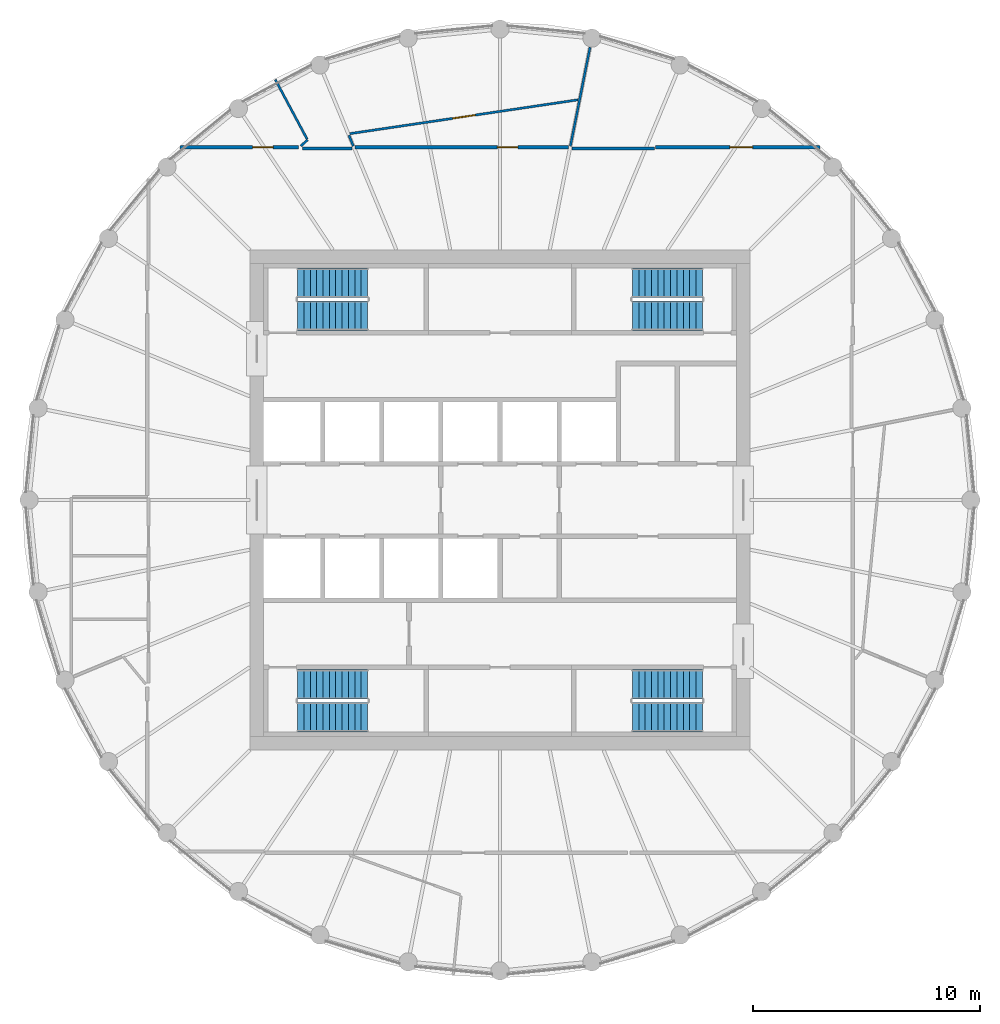
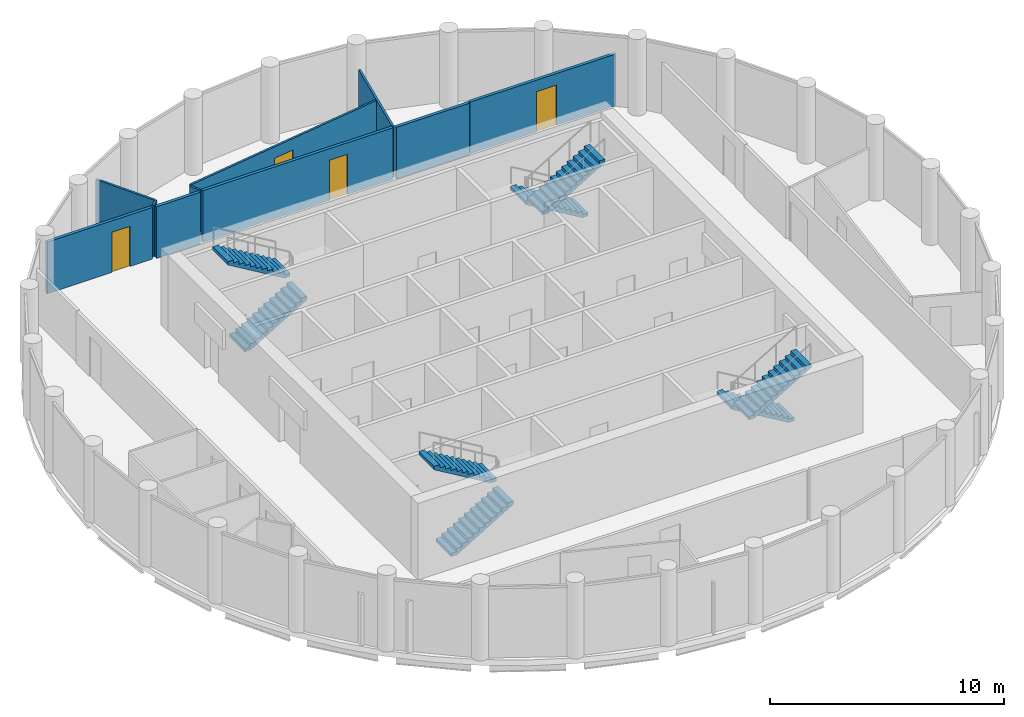
# One storey, part 6 of 7: 10 walls, 8 stair flights, 4 doors, 4 openings, 4 elements without a shape of their own.
"""IFC4 building model written with IfcOpenShell, lengths in metres."""

from ifc_helpers import new_model, si_unit, direction, frame, frame_2d, origin, place, context, subcontext, project, spatial, polyline, rectangle, outline, extrude, material, layer, layer_set, type_object, element, fill, aggregate, save


model = new_model("IFC4")

# Units and contexts
model_context = context("Model", 3, precision=1e-05, world=origin(), true_north=direction((0.0, 1.0)))
body_context = subcontext(model_context, "Body", "Model", "MODEL_VIEW")
ifc_project = project(units=[si_unit("LENGTHUNIT", "METRE"), si_unit("AREAUNIT", "SQUARE_METRE"), si_unit("VOLUMEUNIT", "CUBIC_METRE"), si_unit("PLANEANGLEUNIT", "RADIAN"), si_unit("MASSUNIT", "GRAM", prefix="KILO")], contexts=[model_context])

# Site, building, storey
site_placement = place(None, origin())
site = spatial("IfcSite", under=ifc_project, at=site_placement, CompositionType="ELEMENT")
building_placement = place(site_placement, origin())
building = spatial("IfcBuilding", under=site, at=building_placement, Name="Corvane Civic Tower", CompositionType="ELEMENT")
storey_placement = place(building_placement, frame((0.0, 0.0, 344.5)))
storey = spatial("IfcBuildingStorey", under=building, at=storey_placement, Name="L82", CompositionType="ELEMENT", Elevation=344.5)

# Walls
ifc_material_1 = material(Name="Plasterboard")
ifc_layer_1 = layer(ifc_material_1, 0.10009765625)
ifc_layer_set_1 = layer_set([ifc_layer_1], Name="Plasterboard")
wall_type_1 = type_object("IfcWallType", Name="Partition 100 plasterboard on studs", PredefinedType="PARTITIONING", material=ifc_layer_set_1)
wall_1_placement = place(storey_placement, frame((3.093017578125, 15.5498046875, 0.0), z_axis=(0.0, 0.0, 1.0), x_axis=(0.195121058618, 0.980779166012, 0.0)))
element("IfcWall", 1, at=wall_1_placement, inside=storey, type_object=wall_type_1, Name="Partition L82.029", PredefinedType="PARTITIONING", context=body_context, shape_type="SweptSolid", body=[
    extrude(rectangle(XDim=4.435546875, YDim=0.10009765625, at=frame_2d((2.2177734375, 0.0))), origin(), (0.0, 0.0, 1.0), 2.699951171875),
])
wall_2_placement = place(storey_placement, frame((-6.6416015625, 16.034423828125, 0.0), z_axis=(0.0, 0.0, 1.0), x_axis=(0.38249150512, -0.923959008025, 0.0)))
element("IfcWall", 2, at=wall_2_placement, inside=storey, type_object=wall_type_1, Name="Partition L82.030", PredefinedType="PARTITIONING", context=body_context, shape_type="SweptSolid", body=[
    extrude(rectangle(XDim=0.514404296875, YDim=0.10009765625, at=frame_2d((0.25732421875, 0.0))), origin(), (0.0, 0.0, 1.0), 2.699951171875),
])
wall_3_placement = place(storey_placement, frame((-9.8759765625, 18.476318359375, 0.0), z_axis=(0.0, 0.0, 1.0), x_axis=(0.471455678269, -0.881889756958, 0.0)))
element("IfcWall", 3, at=wall_3_placement, inside=storey, type_object=wall_type_1, Name="Partition L82.031", PredefinedType="PARTITIONING", context=body_context, shape_type="SweptSolid", body=[
    extrude(rectangle(XDim=2.964599609375, YDim=0.10009765625, at=frame_2d((1.482421875, 0.0))), origin(), (0.0, 0.0, 1.0), 2.699951171875),
])

# Wall, opening, door
wall_4_placement = place(storey_placement, frame((-6.602783203125, 16.10302734375, 0.0), z_axis=(0.0, 0.0, 1.0), x_axis=(0.989177601329, 0.146723116884, 0.0)))
wall_4 = element("IfcWall", 4, at=wall_4_placement, inside=storey, type_object=wall_type_1, Name="Partition L82.032", PredefinedType="PARTITIONING", context=body_context, shape_type="SweptSolid", body=[
    extrude(rectangle(XDim=10.1435546875, YDim=0.10009765625, at=frame_2d((5.07177734375, 0.0))), origin(), (0.0, 0.0, 1.0), 2.699951171875),
])
opening_1_placement = place(wall_4_placement, frame((4.5751953125, 0.0, 0.0)))
opening_1 = element("IfcOpeningElement", 5, at=opening_1_placement, cuts=wall_4, Name="Opening L82.012", PredefinedType="OPENING", context=body_context, shape_type="SweptSolid", body=[
    extrude(rectangle(XDim=1.0, YDim=2.10009765625, at=frame_2d((0.5, 1.050048828125))), frame((0.0, 0.06005859375, 0.0), z_axis=(0.0, -1.0, 0.0), x_axis=(1.0, 0.0, 0.0)), (0.0, 0.0, 1.0), 0.1201171875),
])
ifc_material_2 = material(Name="Timber", Category="wood")
door_type_1 = type_object("IfcDoorType", Name="Single door 1000", OperationType="NOTDEFINED", PredefinedType="DOOR", material=ifc_material_2)
door_1_placement = place(opening_1_placement, origin())
door_1 = element("IfcDoor", 6, at=door_1_placement, inside=storey, type_object=door_type_1, Name="Door L82.012", OperationType="SINGLE_SWING_RIGHT", OverallHeight=2.10009765625, OverallWidth=1.0, PredefinedType="DOOR", context=body_context, shape_type="SweptSolid", body=[
    extrude(rectangle(XDim=1.0, YDim=2.10009765625, at=frame_2d((0.5, 1.050048828125))), frame((0.0, 0.02490234375, 0.0), z_axis=(0.0, -1.0, 0.0), x_axis=(1.0, 0.0, 0.0)), (0.0, 0.0, 1.0), 0.050048828125),
])
fill(opening_1, door_1)

# Walls
wall_5_placement = place(storey_placement, frame((-8.755126953125, 15.56005859375, 0.0), z_axis=(0.0, 0.0, 1.0), x_axis=(0.741187107418, 0.671298496793, 0.0)))
element("IfcWall", 7, at=wall_5_placement, inside=storey, type_object=wall_type_1, Name="Partition L82.033", PredefinedType="PARTITIONING", context=body_context, shape_type="SweptSolid", body=[
    extrude(rectangle(XDim=0.398193359375, YDim=0.10009765625, at=frame_2d((0.19921875, 0.0))), origin(), (0.0, 0.0, 1.0), 2.699951171875),
])
ifc_material_3 = material(Name="Plasterboard")
ifc_layer_2 = layer(ifc_material_3, 0.14990234375)
ifc_layer_set_2 = layer_set([ifc_layer_2], Name="Plasterboard")
wall_type_2 = type_object("IfcWallType", Name="Tenancy wall 150 EI 60", PredefinedType="PARTITIONING", material=ifc_layer_set_2)
wall_6_placement = place(storey_placement, frame((-8.681884765625, 15.449951171875, 0.0), z_axis=(0.0, 0.0, 1.0), x_axis=(1.0, 0.0, 0.0)))
element("IfcWall", 8, at=wall_6_placement, inside=storey, type_object=wall_type_2, Name="Partition L82.024", PredefinedType="PARTITIONING", context=body_context, shape_type="SweptSolid", body=[
    extrude(rectangle(XDim=2.170166015625, YDim=0.14990234375, at=frame_2d((1.0849609375, 0.0))), origin(), (0.0, 0.0, 1.0), 2.699951171875),
])
wall_7_placement = place(storey_placement, frame((3.16455078125, 15.449951171875, 0.0), z_axis=(0.0, 0.0, 1.0), x_axis=(1.0, 0.0, 0.0)))
element("IfcWall", 9, at=wall_7_placement, inside=storey, type_object=wall_type_2, Name="Partition L82.025", PredefinedType="PARTITIONING", context=body_context, shape_type="SweptSolid", body=[
    extrude(rectangle(XDim=3.616455078125, YDim=0.14990234375, at=frame_2d((1.80810546875, 0.0))), origin(), (0.0, 0.0, 1.0), 2.699951171875),
])

# Wall, opening, door
wall_8_placement = place(storey_placement, frame((-14.05712890625, 15.5, 0.0), z_axis=(0.0, 0.0, 1.0), x_axis=(1.0, 0.0, 0.0)))
wall_8 = element("IfcWall", 10, at=wall_8_placement, inside=storey, type_object=wall_type_2, Name="Partition L82.026", PredefinedType="PARTITIONING", context=body_context, shape_type="SweptSolid", body=[
    extrude(rectangle(XDim=5.20703125, YDim=0.14990234375, at=frame_2d((2.603515625, 0.0))), origin(), (0.0, 0.0, 1.0), 2.699951171875),
])
opening_2_placement = place(wall_8_placement, frame((3.1875, 0.0, 0.0)))
opening_2 = element("IfcOpeningElement", 11, at=opening_2_placement, cuts=wall_8, Name="Opening L82.011", PredefinedType="OPENING", context=body_context, shape_type="SweptSolid", body=[
    extrude(rectangle(XDim=0.89990234375, YDim=2.10009765625, at=frame_2d((0.449951171875, 1.050048828125))), frame((0.0, 0.0849609375, 0.0), z_axis=(0.0, -1.0, 0.0), x_axis=(1.0, 0.0, 0.0)), (0.0, 0.0, 1.0), 0.169921875),
])
ifc_material_4 = material(Name="Steel and timber", Category="steel")
door_type_2 = type_object("IfcDoorType", Name="Fire door FD30S 900", OperationType="NOTDEFINED", PredefinedType="DOOR", material=ifc_material_4)
door_2_placement = place(opening_2_placement, origin())
door_2 = element("IfcDoor", 12, at=door_2_placement, inside=storey, type_object=door_type_2, Name="Door L82.011", OperationType="SINGLE_SWING_LEFT", OverallHeight=2.10009765625, OverallWidth=0.89990234375, PredefinedType="DOOR", context=body_context, shape_type="SweptSolid", body=[
    extrude(rectangle(XDim=0.89990234375, YDim=2.10009765625, at=frame_2d((0.449951171875, 1.050048828125))), frame((0.0, 0.02490234375, 0.0), z_axis=(0.0, -1.0, 0.0), x_axis=(1.0, 0.0, 0.0)), (0.0, 0.0, 1.0), 0.050048828125),
])
fill(opening_2, door_2)

wall_9_placement = place(storey_placement, frame((-6.3701171875, 15.5, 0.0), z_axis=(0.0, 0.0, 1.0), x_axis=(1.0, 0.0, 0.0)))
wall_9 = element("IfcWall", 13, at=wall_9_placement, inside=storey, type_object=wall_type_2, Name="Partition L82.027", PredefinedType="PARTITIONING", context=body_context, shape_type="SweptSolid", body=[
    extrude(rectangle(XDim=9.3916015625, YDim=0.14990234375, at=frame_2d((4.69580078125, 0.0))), origin(), (0.0, 0.0, 1.0), 2.699951171875),
])
opening_3_placement = place(wall_9_placement, frame((6.25732421875, 0.0, 0.0)))
opening_3 = element("IfcOpeningElement", 14, at=opening_3_placement, cuts=wall_9, Name="Opening L82.013", PredefinedType="OPENING", context=body_context, shape_type="SweptSolid", body=[
    extrude(rectangle(XDim=0.89990234375, YDim=2.10009765625, at=frame_2d((0.449951171875, 1.050048828125))), frame((0.0, 0.0849609375, 0.0), z_axis=(0.0, -1.0, 0.0), x_axis=(1.0, 0.0, 0.0)), (0.0, 0.0, 1.0), 0.169921875),
])
door_3_placement = place(opening_3_placement, origin())
door_3 = element("IfcDoor", 15, at=door_3_placement, inside=storey, type_object=door_type_2, Name="Door L82.013", OperationType="SINGLE_SWING_LEFT", OverallHeight=2.10009765625, OverallWidth=0.89990234375, PredefinedType="DOOR", context=body_context, shape_type="SweptSolid", body=[
    extrude(rectangle(XDim=0.89990234375, YDim=2.10009765625, at=frame_2d((0.449951171875, 1.050048828125))), frame((0.0, 0.02490234375, 0.0), z_axis=(0.0, -1.0, 0.0), x_axis=(1.0, 0.0, 0.0)), (0.0, 0.0, 1.0), 0.050048828125),
])
fill(opening_3, door_3)

wall_10_placement = place(storey_placement, frame((6.8310546875, 15.5, 0.0), z_axis=(0.0, 0.0, 1.0), x_axis=(1.0, 0.0, 0.0)))
wall_10 = element("IfcWall", 16, at=wall_10_placement, inside=storey, type_object=wall_type_2, Name="Partition L82.028", PredefinedType="PARTITIONING", context=body_context, shape_type="SweptSolid", body=[
    extrude(rectangle(XDim=7.22607421875, YDim=0.14990234375, at=frame_2d((3.613037109375, 0.0))), origin(), (0.0, 0.0, 1.0), 2.699951171875),
])
opening_4_placement = place(wall_10_placement, frame((3.27490234375, 0.0, 0.0)))
opening_4 = element("IfcOpeningElement", 17, at=opening_4_placement, cuts=wall_10, Name="Opening L82.014", PredefinedType="OPENING", context=body_context, shape_type="SweptSolid", body=[
    extrude(rectangle(XDim=1.0, YDim=2.10009765625, at=frame_2d((0.5, 1.050048828125))), frame((0.0, 0.0849609375, 0.0), z_axis=(0.0, -1.0, 0.0), x_axis=(1.0, 0.0, 0.0)), (0.0, 0.0, 1.0), 0.169921875),
])
ifc_material_5 = material(Name="Steel and timber", Category="steel")
door_type_3 = type_object("IfcDoorType", Name="Fire door FD30S 1000", OperationType="NOTDEFINED", PredefinedType="DOOR", material=ifc_material_5)
door_4_placement = place(opening_4_placement, origin())
door_4 = element("IfcDoor", 18, at=door_4_placement, inside=storey, type_object=door_type_3, Name="Door L82.014", OperationType="SINGLE_SWING_LEFT", OverallHeight=2.10009765625, OverallWidth=1.0, PredefinedType="DOOR", context=body_context, shape_type="SweptSolid", body=[
    extrude(rectangle(XDim=1.0, YDim=2.10009765625, at=frame_2d((0.5, 1.050048828125))), frame((0.0, 0.02490234375, 0.0), z_axis=(0.0, -1.0, 0.0), x_axis=(1.0, 0.0, 0.0)), (0.0, 0.0, 1.0), 0.050048828125),
])
fill(opening_4, door_4)

# Stair, stair flights
ifc_material_6 = material(Name="Concrete C40/50", Category="concrete")
stair_type = type_object("IfcStairType", Name="ST-STAIR-HALFTURN", PredefinedType="HALF_TURN_STAIR", material=ifc_material_6)
stair_1_placement = place(storey_placement, origin())
stair_1 = element("IfcStair", 19, at=stair_1_placement, inside=storey, type_object=stair_type, Name="L82 Exit stair ST1", PredefinedType="HALF_TURN_STAIR")
ifc_material_7 = material(Name="Concrete C40/50", Category="concrete")
stair_flight_type = type_object("IfcStairFlightType", Name="ST-FLIGHT-RC", PredefinedType="STRAIGHT", material=ifc_material_7)
stair_flight_1_placement = place(storey_placement, frame((8.89990234375, 9.550048828125, 0.0), z_axis=(0.0, 0.0, 1.0), x_axis=(-1.0, 0.0, 0.0)))
stair_flight_1 = element("IfcStairFlight", 20, at=stair_flight_1_placement, type_object=stair_flight_type, Name="ST1 flight 1", NumberOfRisers=12, NumberOfTreads=11, PredefinedType="STRAIGHT", RiserHeight=0.166666667, TreadLength=0.28, context=body_context, shape_type="SweptSolid", body=[
    extrude(outline(polyline([(0.0, 0.0), (0.0, 0.166748046875), (0.280029296875, 0.166748046875), (0.280029296875, 0.333251953125), (0.56005859375, 0.333251953125), (0.56005859375, 0.5), (0.840087890625, 0.5), (0.840087890625, 0.666748046875), (1.1201171875, 0.666748046875), (1.1201171875, 0.833251953125), (1.39990234375, 0.833251953125), (1.39990234375, 1.0), (1.679931640625, 1.0), (1.679931640625, 1.166748046875), (1.9599609375, 1.166748046875), (1.9599609375, 1.333251953125), (2.239990234375, 1.333251953125), (2.239990234375, 1.5), (2.52001953125, 1.5), (2.52001953125, 1.666748046875), (2.800048828125, 1.666748046875), (2.800048828125, 1.833251953125), (3.080078125, 1.833251953125), (3.080078125, 2.0), (3.080078125, 1.658935546875), (0.29296875, 0.0), (0.0, 0.0)])), frame((0.0, 0.64990234375, 0.0), z_axis=(0.0, -1.0, 0.0), x_axis=(1.0, 0.0, 0.0)), (0.0, 0.0, 1.0), 1.300048828125),
])
stair_flight_2_placement = place(storey_placement, frame((5.820068359375, 8.10009765625, 2.0), z_axis=(0.0, 0.0, 1.0), x_axis=(1.0, 0.0, 0.0)))
stair_flight_2 = element("IfcStairFlight", 21, at=stair_flight_2_placement, type_object=stair_flight_type, Name="ST1 flight 2", NumberOfRisers=12, NumberOfTreads=11, PredefinedType="STRAIGHT", RiserHeight=0.166666667, TreadLength=0.28, context=body_context, shape_type="SweptSolid", body=[
    extrude(outline(polyline([(0.0, 0.0), (0.0, 0.166748046875), (0.280029296875, 0.166748046875), (0.280029296875, 0.333251953125), (0.56005859375, 0.333251953125), (0.56005859375, 0.5), (0.840087890625, 0.5), (0.840087890625, 0.666748046875), (1.1201171875, 0.666748046875), (1.1201171875, 0.833251953125), (1.39990234375, 0.833251953125), (1.39990234375, 1.0), (1.679931640625, 1.0), (1.679931640625, 1.166748046875), (1.9599609375, 1.166748046875), (1.9599609375, 1.333251953125), (2.239990234375, 1.333251953125), (2.239990234375, 1.5), (2.52001953125, 1.5), (2.52001953125, 1.666748046875), (2.800048828125, 1.666748046875), (2.800048828125, 1.833251953125), (3.080078125, 1.833251953125), (3.080078125, 2.0), (3.080078125, 1.658935546875), (0.29296875, 0.0), (0.0, 0.0)])), frame((0.0, 0.64990234375, 0.0), z_axis=(0.0, -1.0, 0.0), x_axis=(1.0, 0.0, 0.0)), (0.0, 0.0, 1.0), 1.300048828125),
])
aggregate(stair_1, [stair_flight_1, stair_flight_2])

stair_2_placement = place(storey_placement, origin())
stair_2 = element("IfcStair", 22, at=stair_2_placement, inside=storey, type_object=stair_type, Name="L82 Exit stair ST2", PredefinedType="HALF_TURN_STAIR")
stair_flight_3_placement = place(storey_placement, frame((8.89990234375, -8.10009765625, 0.0), z_axis=(0.0, 0.0, 1.0), x_axis=(-1.0, 0.0, 0.0)))
stair_flight_3 = element("IfcStairFlight", 23, at=stair_flight_3_placement, type_object=stair_flight_type, Name="ST2 flight 1", NumberOfRisers=12, NumberOfTreads=11, PredefinedType="STRAIGHT", RiserHeight=0.166666667, TreadLength=0.28, context=body_context, shape_type="SweptSolid", body=[
    extrude(outline(polyline([(0.0, 0.0), (0.0, 0.166748046875), (0.280029296875, 0.166748046875), (0.280029296875, 0.333251953125), (0.56005859375, 0.333251953125), (0.56005859375, 0.5), (0.840087890625, 0.5), (0.840087890625, 0.666748046875), (1.1201171875, 0.666748046875), (1.1201171875, 0.833251953125), (1.39990234375, 0.833251953125), (1.39990234375, 1.0), (1.679931640625, 1.0), (1.679931640625, 1.166748046875), (1.9599609375, 1.166748046875), (1.9599609375, 1.333251953125), (2.239990234375, 1.333251953125), (2.239990234375, 1.5), (2.52001953125, 1.5), (2.52001953125, 1.666748046875), (2.800048828125, 1.666748046875), (2.800048828125, 1.833251953125), (3.080078125, 1.833251953125), (3.080078125, 2.0), (3.080078125, 1.658935546875), (0.29296875, 0.0), (0.0, 0.0)])), frame((0.0, 0.64990234375, 0.0), z_axis=(0.0, -1.0, 0.0), x_axis=(1.0, 0.0, 0.0)), (0.0, 0.0, 1.0), 1.300048828125),
])
stair_flight_4_placement = place(storey_placement, frame((5.820068359375, -9.550048828125, 2.0), z_axis=(0.0, 0.0, 1.0), x_axis=(1.0, 0.0, 0.0)))
stair_flight_4 = element("IfcStairFlight", 24, at=stair_flight_4_placement, type_object=stair_flight_type, Name="ST2 flight 2", NumberOfRisers=12, NumberOfTreads=11, PredefinedType="STRAIGHT", RiserHeight=0.166666667, TreadLength=0.28, context=body_context, shape_type="SweptSolid", body=[
    extrude(outline(polyline([(0.0, 0.0), (0.0, 0.166748046875), (0.280029296875, 0.166748046875), (0.280029296875, 0.333251953125), (0.56005859375, 0.333251953125), (0.56005859375, 0.5), (0.840087890625, 0.5), (0.840087890625, 0.666748046875), (1.1201171875, 0.666748046875), (1.1201171875, 0.833251953125), (1.39990234375, 0.833251953125), (1.39990234375, 1.0), (1.679931640625, 1.0), (1.679931640625, 1.166748046875), (1.9599609375, 1.166748046875), (1.9599609375, 1.333251953125), (2.239990234375, 1.333251953125), (2.239990234375, 1.5), (2.52001953125, 1.5), (2.52001953125, 1.666748046875), (2.800048828125, 1.666748046875), (2.800048828125, 1.833251953125), (3.080078125, 1.833251953125), (3.080078125, 2.0), (3.080078125, 1.658935546875), (0.29296875, 0.0), (0.0, 0.0)])), frame((0.0, 0.64990234375, 0.0), z_axis=(0.0, -1.0, 0.0), x_axis=(1.0, 0.0, 0.0)), (0.0, 0.0, 1.0), 1.300048828125),
])
aggregate(stair_2, [stair_flight_3, stair_flight_4])

stair_3_placement = place(storey_placement, origin())
stair_3 = element("IfcStair", 25, at=stair_3_placement, inside=storey, type_object=stair_type, Name="L82 Exit stair ST3", PredefinedType="HALF_TURN_STAIR")
stair_flight_5_placement = place(storey_placement, frame((-8.89990234375, -9.550048828125, 0.0), z_axis=(0.0, 0.0, 1.0), x_axis=(1.0, 0.0, 0.0)))
stair_flight_5 = element("IfcStairFlight", 26, at=stair_flight_5_placement, type_object=stair_flight_type, Name="ST3 flight 1", NumberOfRisers=12, NumberOfTreads=11, PredefinedType="STRAIGHT", RiserHeight=0.166666667, TreadLength=0.28, context=body_context, shape_type="SweptSolid", body=[
    extrude(outline(polyline([(0.0, 0.0), (0.0, 0.166748046875), (0.280029296875, 0.166748046875), (0.280029296875, 0.333251953125), (0.56005859375, 0.333251953125), (0.56005859375, 0.5), (0.840087890625, 0.5), (0.840087890625, 0.666748046875), (1.1201171875, 0.666748046875), (1.1201171875, 0.833251953125), (1.39990234375, 0.833251953125), (1.39990234375, 1.0), (1.679931640625, 1.0), (1.679931640625, 1.166748046875), (1.9599609375, 1.166748046875), (1.9599609375, 1.333251953125), (2.239990234375, 1.333251953125), (2.239990234375, 1.5), (2.52001953125, 1.5), (2.52001953125, 1.666748046875), (2.800048828125, 1.666748046875), (2.800048828125, 1.833251953125), (3.080078125, 1.833251953125), (3.080078125, 2.0), (3.080078125, 1.658935546875), (0.29296875, 0.0), (0.0, 0.0)])), frame((0.0, 0.64990234375, 0.0), z_axis=(0.0, -1.0, 0.0), x_axis=(1.0, 0.0, 0.0)), (0.0, 0.0, 1.0), 1.300048828125),
])
stair_flight_6_placement = place(storey_placement, frame((-5.820068359375, -8.10009765625, 2.0), z_axis=(0.0, 0.0, 1.0), x_axis=(-1.0, 0.0, 0.0)))
stair_flight_6 = element("IfcStairFlight", 27, at=stair_flight_6_placement, type_object=stair_flight_type, Name="ST3 flight 2", NumberOfRisers=12, NumberOfTreads=11, PredefinedType="STRAIGHT", RiserHeight=0.166666667, TreadLength=0.28, context=body_context, shape_type="SweptSolid", body=[
    extrude(outline(polyline([(0.0, 0.0), (0.0, 0.166748046875), (0.280029296875, 0.166748046875), (0.280029296875, 0.333251953125), (0.56005859375, 0.333251953125), (0.56005859375, 0.5), (0.840087890625, 0.5), (0.840087890625, 0.666748046875), (1.1201171875, 0.666748046875), (1.1201171875, 0.833251953125), (1.39990234375, 0.833251953125), (1.39990234375, 1.0), (1.679931640625, 1.0), (1.679931640625, 1.166748046875), (1.9599609375, 1.166748046875), (1.9599609375, 1.333251953125), (2.239990234375, 1.333251953125), (2.239990234375, 1.5), (2.52001953125, 1.5), (2.52001953125, 1.666748046875), (2.800048828125, 1.666748046875), (2.800048828125, 1.833251953125), (3.080078125, 1.833251953125), (3.080078125, 2.0), (3.080078125, 1.658935546875), (0.29296875, 0.0), (0.0, 0.0)])), frame((0.0, 0.64990234375, 0.0), z_axis=(0.0, -1.0, 0.0), x_axis=(1.0, 0.0, 0.0)), (0.0, 0.0, 1.0), 1.300048828125),
])
aggregate(stair_3, [stair_flight_5, stair_flight_6])

stair_4_placement = place(storey_placement, origin())
stair_4 = element("IfcStair", 28, at=stair_4_placement, inside=storey, type_object=stair_type, Name="L82 Exit stair ST4", PredefinedType="HALF_TURN_STAIR")
stair_flight_7_placement = place(storey_placement, frame((-8.89990234375, 8.10009765625, 0.0), z_axis=(0.0, 0.0, 1.0), x_axis=(1.0, 0.0, 0.0)))
stair_flight_7 = element("IfcStairFlight", 29, at=stair_flight_7_placement, type_object=stair_flight_type, Name="ST4 flight 1", NumberOfRisers=12, NumberOfTreads=11, PredefinedType="STRAIGHT", RiserHeight=0.166666667, TreadLength=0.28, context=body_context, shape_type="SweptSolid", body=[
    extrude(outline(polyline([(0.0, 0.0), (0.0, 0.166748046875), (0.280029296875, 0.166748046875), (0.280029296875, 0.333251953125), (0.56005859375, 0.333251953125), (0.56005859375, 0.5), (0.840087890625, 0.5), (0.840087890625, 0.666748046875), (1.1201171875, 0.666748046875), (1.1201171875, 0.833251953125), (1.39990234375, 0.833251953125), (1.39990234375, 1.0), (1.679931640625, 1.0), (1.679931640625, 1.166748046875), (1.9599609375, 1.166748046875), (1.9599609375, 1.333251953125), (2.239990234375, 1.333251953125), (2.239990234375, 1.5), (2.52001953125, 1.5), (2.52001953125, 1.666748046875), (2.800048828125, 1.666748046875), (2.800048828125, 1.833251953125), (3.080078125, 1.833251953125), (3.080078125, 2.0), (3.080078125, 1.658935546875), (0.29296875, 0.0), (0.0, 0.0)])), frame((0.0, 0.64990234375, 0.0), z_axis=(0.0, -1.0, 0.0), x_axis=(1.0, 0.0, 0.0)), (0.0, 0.0, 1.0), 1.300048828125),
])
stair_flight_8_placement = place(storey_placement, frame((-5.820068359375, 9.550048828125, 2.0), z_axis=(0.0, 0.0, 1.0), x_axis=(-1.0, 0.0, 0.0)))
stair_flight_8 = element("IfcStairFlight", 30, at=stair_flight_8_placement, type_object=stair_flight_type, Name="ST4 flight 2", NumberOfRisers=12, NumberOfTreads=11, PredefinedType="STRAIGHT", RiserHeight=0.166666667, TreadLength=0.28, context=body_context, shape_type="SweptSolid", body=[
    extrude(outline(polyline([(0.0, 0.0), (0.0, 0.166748046875), (0.280029296875, 0.166748046875), (0.280029296875, 0.333251953125), (0.56005859375, 0.333251953125), (0.56005859375, 0.5), (0.840087890625, 0.5), (0.840087890625, 0.666748046875), (1.1201171875, 0.666748046875), (1.1201171875, 0.833251953125), (1.39990234375, 0.833251953125), (1.39990234375, 1.0), (1.679931640625, 1.0), (1.679931640625, 1.166748046875), (1.9599609375, 1.166748046875), (1.9599609375, 1.333251953125), (2.239990234375, 1.333251953125), (2.239990234375, 1.5), (2.52001953125, 1.5), (2.52001953125, 1.666748046875), (2.800048828125, 1.666748046875), (2.800048828125, 1.833251953125), (3.080078125, 1.833251953125), (3.080078125, 2.0), (3.080078125, 1.658935546875), (0.29296875, 0.0), (0.0, 0.0)])), frame((0.0, 0.64990234375, 0.0), z_axis=(0.0, -1.0, 0.0), x_axis=(1.0, 0.0, 0.0)), (0.0, 0.0, 1.0), 1.300048828125),
])
aggregate(stair_4, [stair_flight_7, stair_flight_8])

save(model, "model.ifc")
